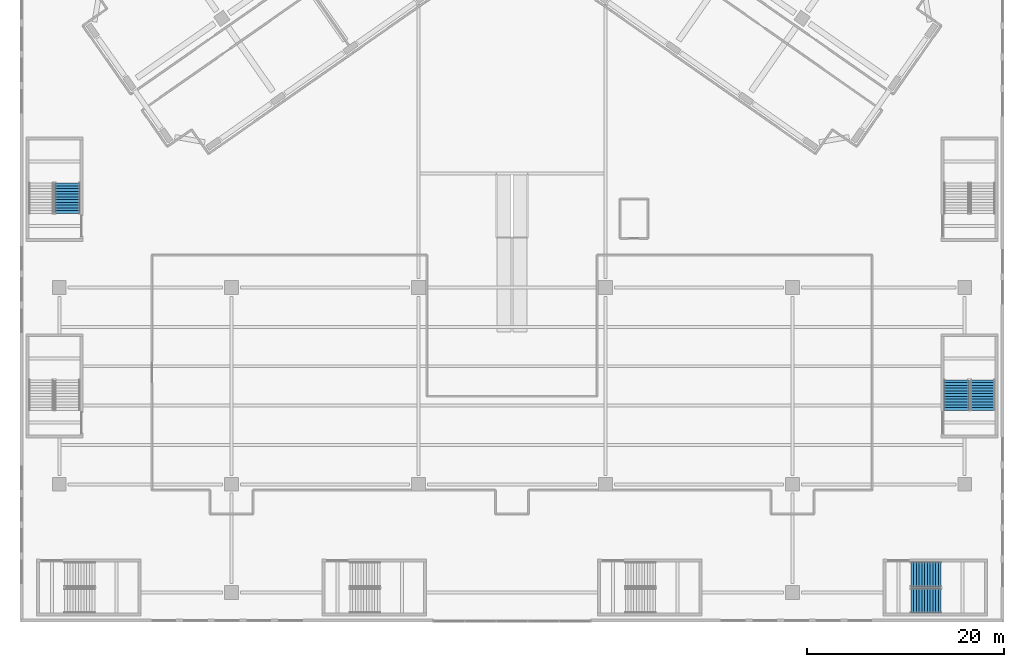
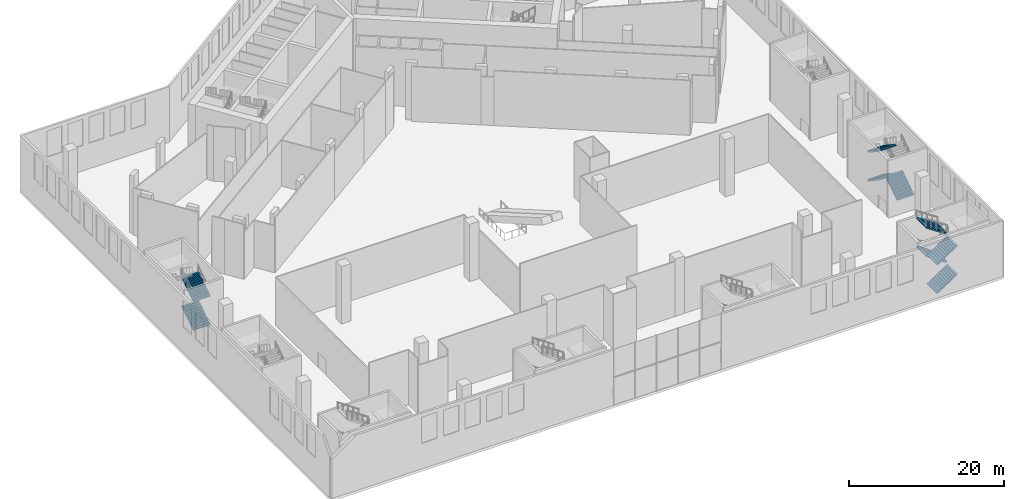
# One storey, part 15 of 27: 9 stair flights, 3 elements without a shape of their own.
"""IFC4 building model written with IfcOpenShell, lengths in metres."""

from ifc_helpers import new_model, si_unit, direction, frame, origin, place, context, subcontext, project, spatial, polyline, outline, extrude, material, type_object, element, aggregate, save


model = new_model("IFC4")

# Units and contexts
model_context = context("Model", 3, precision=1e-05, world=origin(), true_north=direction((0.0, 1.0)))
body_context = subcontext(model_context, "Body", "Model", "MODEL_VIEW")
ifc_project = project(units=[si_unit("LENGTHUNIT", "METRE"), si_unit("AREAUNIT", "SQUARE_METRE"), si_unit("VOLUMEUNIT", "CUBIC_METRE"), si_unit("PLANEANGLEUNIT", "RADIAN"), si_unit("MASSUNIT", "GRAM", prefix="KILO")], contexts=[model_context])

# Site, building, storey
site_placement = place(None, origin())
site = spatial("IfcSite", under=ifc_project, at=site_placement, CompositionType="ELEMENT")
building_placement = place(site_placement, origin())
building = spatial("IfcBuilding", under=site, at=building_placement, Name="Tel Ilan Convention Tower", CompositionType="ELEMENT")
storey_placement = place(building_placement, frame((0.0, 0.0, 9.0)))
storey = spatial("IfcBuildingStorey", under=building, at=storey_placement, Name="L01", CompositionType="ELEMENT", Elevation=9.0)

# Stair, stair flights
ifc_material_1 = material(Name="Concrete C40/50", Category="concrete")
stair_type = type_object("IfcStairType", Name="Pressurised Exit Stair 48 risers 188 mm", PredefinedType="HALF_TURN_STAIR", material=ifc_material_1)
stair_1_placement = place(storey_placement, origin())
stair_1 = element("IfcStair", 1, at=stair_1_placement, inside=storey, type_object=stair_type, Name="L01 Podium Exit Stair P4", PredefinedType="HALF_TURN_STAIR")
ifc_material_2 = material(Name="Precast Concrete C40/50", Category="concrete")
stair_flight_type = type_object("IfcStairFlightType", Name="Concrete Stair Flight 2525 mm 48 risers 188 mm", PredefinedType="STRAIGHT", material=ifc_material_2)
stair_flight_1_placement = place(storey_placement, frame((40.52490234375, -79.83740234375, 0.0), z_axis=(0.0, 0.0, 1.0), x_axis=(1.0, 0.0, 0.0)))
stair_flight_1 = element("IfcStairFlight", 2, at=stair_flight_1_placement, type_object=stair_flight_type, Name="P4 flight 1", NumberOfRisers=12, NumberOfTreads=11, PredefinedType="STRAIGHT", RiserHeight=0.1875, TreadLength=0.28, context=body_context, shape_type="SweptSolid", body=[
    extrude(outline(polyline([(0.0, 0.0), (0.0, 0.1875), (0.280029296875, 0.1875), (0.280029296875, 0.375), (0.56005859375, 0.375), (0.56005859375, 0.5625), (0.840087890625, 0.5625), (0.840087890625, 0.75), (1.1201171875, 0.75), (1.1201171875, 0.9375), (1.39990234375, 0.9375), (1.39990234375, 1.125), (1.679931640625, 1.125), (1.679931640625, 1.3125), (1.9599609375, 1.3125), (1.9599609375, 1.5), (2.239990234375, 1.5), (2.239990234375, 1.6875), (2.52001953125, 1.6875), (2.52001953125, 1.875), (2.800048828125, 1.875), (2.800048828125, 2.0625), (3.080078125, 2.0625), (3.080078125, 2.25), (3.080078125, 1.882080078125), (0.26953125, 0.0), (0.0, 0.0)])), frame((0.0, -0.100341796875, 0.0), z_axis=(0.0, -1.0, 0.0), x_axis=(1.0, 0.0, 0.0)), (0.0, 0.0, 1.0), 1.162109375),
    extrude(outline(polyline([(0.0, 0.0), (0.0, 0.1875), (0.280029296875, 0.1875), (0.280029296875, 0.375), (0.56005859375, 0.375), (0.56005859375, 0.5625), (0.840087890625, 0.5625), (0.840087890625, 0.75), (1.1201171875, 0.75), (1.1201171875, 0.9375), (1.39990234375, 0.9375), (1.39990234375, 1.125), (1.679931640625, 1.125), (1.679931640625, 1.3125), (1.9599609375, 1.3125), (1.9599609375, 1.5), (2.239990234375, 1.5), (2.239990234375, 1.6875), (2.52001953125, 1.6875), (2.52001953125, 1.875), (2.800048828125, 1.875), (2.800048828125, 2.0625), (3.080078125, 2.0625), (3.080078125, 2.25), (3.080078125, 1.882080078125), (0.26953125, 0.0), (0.0, 0.0)])), frame((0.0, -0.000244140625, 0.0), z_axis=(0.0, -1.0, 0.0), x_axis=(1.0, 0.0, 0.0)), (0.0, 0.0, 1.0), 0.099609375),
    extrude(outline(polyline([(0.0, 0.0), (0.0, 0.1875), (0.280029296875, 0.1875), (0.280029296875, 0.375), (0.56005859375, 0.375), (0.56005859375, 0.5625), (0.840087890625, 0.5625), (0.840087890625, 0.75), (1.1201171875, 0.75), (1.1201171875, 0.9375), (1.39990234375, 0.9375), (1.39990234375, 1.125), (1.679931640625, 1.125), (1.679931640625, 1.3125), (1.9599609375, 1.3125), (1.9599609375, 1.5), (2.239990234375, 1.5), (2.239990234375, 1.6875), (2.52001953125, 1.6875), (2.52001953125, 1.875), (2.800048828125, 1.875), (2.800048828125, 2.0625), (3.080078125, 2.0625), (3.080078125, 2.25), (3.080078125, 1.882080078125), (0.26953125, 0.0), (0.0, 0.0)])), frame((0.0, 0.099853515625, 0.0), z_axis=(0.0, -1.0, 0.0), x_axis=(1.0, 0.0, 0.0)), (0.0, 0.0, 1.0), 0.099609375),
    extrude(outline(polyline([(0.0, 0.0), (0.0, 0.1875), (0.280029296875, 0.1875), (0.280029296875, 0.375), (0.56005859375, 0.375), (0.56005859375, 0.5625), (0.840087890625, 0.5625), (0.840087890625, 0.75), (1.1201171875, 0.75), (1.1201171875, 0.9375), (1.39990234375, 0.9375), (1.39990234375, 1.125), (1.679931640625, 1.125), (1.679931640625, 1.3125), (1.9599609375, 1.3125), (1.9599609375, 1.5), (2.239990234375, 1.5), (2.239990234375, 1.6875), (2.52001953125, 1.6875), (2.52001953125, 1.875), (2.800048828125, 1.875), (2.800048828125, 2.0625), (3.080078125, 2.0625), (3.080078125, 2.25), (3.080078125, 1.882080078125), (0.26953125, 0.0), (0.0, 0.0)])), frame((0.0, 1.262451171875, 0.0), z_axis=(0.0, -1.0, 0.0), x_axis=(1.0, 0.0, 0.0)), (0.0, 0.0, 1.0), 1.162109375),
])
stair_flight_2_placement = place(storey_placement, frame((43.60498046875, -77.16259765625, 2.25), z_axis=(0.0, 0.0, 1.0), x_axis=(-1.0, 0.0, 0.0)))
stair_flight_2 = element("IfcStairFlight", 3, at=stair_flight_2_placement, type_object=stair_flight_type, Name="P4 flight 2", NumberOfRisers=12, NumberOfTreads=11, PredefinedType="STRAIGHT", RiserHeight=0.1875, TreadLength=0.28, context=body_context, shape_type="SweptSolid", body=[
    extrude(outline(polyline([(0.0, 0.0), (0.0, 0.1875), (0.280029296875, 0.1875), (0.280029296875, 0.375), (0.56005859375, 0.375), (0.56005859375, 0.5625), (0.840087890625, 0.5625), (0.840087890625, 0.75), (1.1201171875, 0.75), (1.1201171875, 0.9375), (1.39990234375, 0.9375), (1.39990234375, 1.125), (1.679931640625, 1.125), (1.679931640625, 1.3125), (1.9599609375, 1.3125), (1.9599609375, 1.5), (2.239990234375, 1.5), (2.239990234375, 1.6875), (2.52001953125, 1.6875), (2.52001953125, 1.875), (2.800048828125, 1.875), (2.800048828125, 2.0625), (3.080078125, 2.0625), (3.080078125, 2.25), (3.080078125, 1.882080078125), (0.26953125, 0.0), (0.0, 0.0)])), frame((0.0, -0.100341796875, 0.0), z_axis=(0.0, -1.0, 0.0), x_axis=(1.0, 0.0, 0.0)), (0.0, 0.0, 1.0), 1.162109375),
    extrude(outline(polyline([(0.0, 0.0), (0.0, 0.1875), (0.280029296875, 0.1875), (0.280029296875, 0.375), (0.56005859375, 0.375), (0.56005859375, 0.5625), (0.840087890625, 0.5625), (0.840087890625, 0.75), (1.1201171875, 0.75), (1.1201171875, 0.9375), (1.39990234375, 0.9375), (1.39990234375, 1.125), (1.679931640625, 1.125), (1.679931640625, 1.3125), (1.9599609375, 1.3125), (1.9599609375, 1.5), (2.239990234375, 1.5), (2.239990234375, 1.6875), (2.52001953125, 1.6875), (2.52001953125, 1.875), (2.800048828125, 1.875), (2.800048828125, 2.0625), (3.080078125, 2.0625), (3.080078125, 2.25), (3.080078125, 1.882080078125), (0.26953125, 0.0), (0.0, 0.0)])), frame((0.0, -0.000244140625, 0.0), z_axis=(0.0, -1.0, 0.0), x_axis=(1.0, 0.0, 0.0)), (0.0, 0.0, 1.0), 0.099609375),
    extrude(outline(polyline([(0.0, 0.0), (0.0, 0.1875), (0.280029296875, 0.1875), (0.280029296875, 0.375), (0.56005859375, 0.375), (0.56005859375, 0.5625), (0.840087890625, 0.5625), (0.840087890625, 0.75), (1.1201171875, 0.75), (1.1201171875, 0.9375), (1.39990234375, 0.9375), (1.39990234375, 1.125), (1.679931640625, 1.125), (1.679931640625, 1.3125), (1.9599609375, 1.3125), (1.9599609375, 1.5), (2.239990234375, 1.5), (2.239990234375, 1.6875), (2.52001953125, 1.6875), (2.52001953125, 1.875), (2.800048828125, 1.875), (2.800048828125, 2.0625), (3.080078125, 2.0625), (3.080078125, 2.25), (3.080078125, 1.882080078125), (0.26953125, 0.0), (0.0, 0.0)])), frame((0.0, 0.099853515625, 0.0), z_axis=(0.0, -1.0, 0.0), x_axis=(1.0, 0.0, 0.0)), (0.0, 0.0, 1.0), 0.099609375),
    extrude(outline(polyline([(0.0, 0.0), (0.0, 0.1875), (0.280029296875, 0.1875), (0.280029296875, 0.375), (0.56005859375, 0.375), (0.56005859375, 0.5625), (0.840087890625, 0.5625), (0.840087890625, 0.75), (1.1201171875, 0.75), (1.1201171875, 0.9375), (1.39990234375, 0.9375), (1.39990234375, 1.125), (1.679931640625, 1.125), (1.679931640625, 1.3125), (1.9599609375, 1.3125), (1.9599609375, 1.5), (2.239990234375, 1.5), (2.239990234375, 1.6875), (2.52001953125, 1.6875), (2.52001953125, 1.875), (2.800048828125, 1.875), (2.800048828125, 2.0625), (3.080078125, 2.0625), (3.080078125, 2.25), (3.080078125, 1.882080078125), (0.26953125, 0.0), (0.0, 0.0)])), frame((0.0, 1.262451171875, 0.0), z_axis=(0.0, -1.0, 0.0), x_axis=(1.0, 0.0, 0.0)), (0.0, 0.0, 1.0), 1.162109375),
])
stair_flight_3_placement = place(storey_placement, frame((40.52490234375, -79.83740234375, 4.5), z_axis=(0.0, 0.0, 1.0), x_axis=(1.0, 0.0, 0.0)))
stair_flight_3 = element("IfcStairFlight", 4, at=stair_flight_3_placement, type_object=stair_flight_type, Name="P4 flight 3", NumberOfRisers=12, NumberOfTreads=11, PredefinedType="STRAIGHT", RiserHeight=0.1875, TreadLength=0.28, context=body_context, shape_type="SweptSolid", body=[
    extrude(outline(polyline([(0.0, 0.0), (0.0, 0.1875), (0.280029296875, 0.1875), (0.280029296875, 0.375), (0.56005859375, 0.375), (0.56005859375, 0.5625), (0.840087890625, 0.5625), (0.840087890625, 0.75), (1.1201171875, 0.75), (1.1201171875, 0.9375), (1.39990234375, 0.9375), (1.39990234375, 1.125), (1.679931640625, 1.125), (1.679931640625, 1.3125), (1.9599609375, 1.3125), (1.9599609375, 1.5), (2.239990234375, 1.5), (2.239990234375, 1.6875), (2.52001953125, 1.6875), (2.52001953125, 1.875), (2.800048828125, 1.875), (2.800048828125, 2.0625), (3.080078125, 2.0625), (3.080078125, 2.25), (3.080078125, 1.882080078125), (0.26953125, 0.0), (0.0, 0.0)])), frame((0.0, -0.100341796875, 0.0), z_axis=(0.0, -1.0, 0.0), x_axis=(1.0, 0.0, 0.0)), (0.0, 0.0, 1.0), 1.162109375),
    extrude(outline(polyline([(0.0, 0.0), (0.0, 0.1875), (0.280029296875, 0.1875), (0.280029296875, 0.375), (0.56005859375, 0.375), (0.56005859375, 0.5625), (0.840087890625, 0.5625), (0.840087890625, 0.75), (1.1201171875, 0.75), (1.1201171875, 0.9375), (1.39990234375, 0.9375), (1.39990234375, 1.125), (1.679931640625, 1.125), (1.679931640625, 1.3125), (1.9599609375, 1.3125), (1.9599609375, 1.5), (2.239990234375, 1.5), (2.239990234375, 1.6875), (2.52001953125, 1.6875), (2.52001953125, 1.875), (2.800048828125, 1.875), (2.800048828125, 2.0625), (3.080078125, 2.0625), (3.080078125, 2.25), (3.080078125, 1.882080078125), (0.26953125, 0.0), (0.0, 0.0)])), frame((0.0, -0.000244140625, 0.0), z_axis=(0.0, -1.0, 0.0), x_axis=(1.0, 0.0, 0.0)), (0.0, 0.0, 1.0), 0.099609375),
    extrude(outline(polyline([(0.0, 0.0), (0.0, 0.1875), (0.280029296875, 0.1875), (0.280029296875, 0.375), (0.56005859375, 0.375), (0.56005859375, 0.5625), (0.840087890625, 0.5625), (0.840087890625, 0.75), (1.1201171875, 0.75), (1.1201171875, 0.9375), (1.39990234375, 0.9375), (1.39990234375, 1.125), (1.679931640625, 1.125), (1.679931640625, 1.3125), (1.9599609375, 1.3125), (1.9599609375, 1.5), (2.239990234375, 1.5), (2.239990234375, 1.6875), (2.52001953125, 1.6875), (2.52001953125, 1.875), (2.800048828125, 1.875), (2.800048828125, 2.0625), (3.080078125, 2.0625), (3.080078125, 2.25), (3.080078125, 1.882080078125), (0.26953125, 0.0), (0.0, 0.0)])), frame((0.0, 0.099853515625, 0.0), z_axis=(0.0, -1.0, 0.0), x_axis=(1.0, 0.0, 0.0)), (0.0, 0.0, 1.0), 0.099609375),
    extrude(outline(polyline([(0.0, 0.0), (0.0, 0.1875), (0.280029296875, 0.1875), (0.280029296875, 0.375), (0.56005859375, 0.375), (0.56005859375, 0.5625), (0.840087890625, 0.5625), (0.840087890625, 0.75), (1.1201171875, 0.75), (1.1201171875, 0.9375), (1.39990234375, 0.9375), (1.39990234375, 1.125), (1.679931640625, 1.125), (1.679931640625, 1.3125), (1.9599609375, 1.3125), (1.9599609375, 1.5), (2.239990234375, 1.5), (2.239990234375, 1.6875), (2.52001953125, 1.6875), (2.52001953125, 1.875), (2.800048828125, 1.875), (2.800048828125, 2.0625), (3.080078125, 2.0625), (3.080078125, 2.25), (3.080078125, 1.882080078125), (0.26953125, 0.0), (0.0, 0.0)])), frame((0.0, 1.262451171875, 0.0), z_axis=(0.0, -1.0, 0.0), x_axis=(1.0, 0.0, 0.0)), (0.0, 0.0, 1.0), 1.162109375),
])
stair_flight_4_placement = place(storey_placement, frame((43.60498046875, -77.16259765625, 6.75), z_axis=(0.0, 0.0, 1.0), x_axis=(-1.0, 0.0, 0.0)))
stair_flight_4 = element("IfcStairFlight", 5, at=stair_flight_4_placement, type_object=stair_flight_type, Name="P4 flight 4", NumberOfRisers=12, NumberOfTreads=11, PredefinedType="STRAIGHT", RiserHeight=0.1875, TreadLength=0.28, context=body_context, shape_type="SweptSolid", body=[
    extrude(outline(polyline([(0.0, 0.0), (0.0, 0.1875), (0.280029296875, 0.1875), (0.280029296875, 0.375), (0.56005859375, 0.375), (0.56005859375, 0.5625), (0.840087890625, 0.5625), (0.840087890625, 0.75), (1.1201171875, 0.75), (1.1201171875, 0.9375), (1.39990234375, 0.9375), (1.39990234375, 1.125), (1.679931640625, 1.125), (1.679931640625, 1.3125), (1.9599609375, 1.3125), (1.9599609375, 1.5), (2.239990234375, 1.5), (2.239990234375, 1.6875), (2.52001953125, 1.6875), (2.52001953125, 1.875), (2.800048828125, 1.875), (2.800048828125, 2.0625), (3.080078125, 2.0625), (3.080078125, 2.25), (3.080078125, 1.882080078125), (0.26953125, 0.0), (0.0, 0.0)])), frame((0.0, -0.100341796875, 0.0), z_axis=(0.0, -1.0, 0.0), x_axis=(1.0, 0.0, 0.0)), (0.0, 0.0, 1.0), 1.162109375),
    extrude(outline(polyline([(0.0, 0.0), (0.0, 0.1875), (0.280029296875, 0.1875), (0.280029296875, 0.375), (0.56005859375, 0.375), (0.56005859375, 0.5625), (0.840087890625, 0.5625), (0.840087890625, 0.75), (1.1201171875, 0.75), (1.1201171875, 0.9375), (1.39990234375, 0.9375), (1.39990234375, 1.125), (1.679931640625, 1.125), (1.679931640625, 1.3125), (1.9599609375, 1.3125), (1.9599609375, 1.5), (2.239990234375, 1.5), (2.239990234375, 1.6875), (2.52001953125, 1.6875), (2.52001953125, 1.875), (2.800048828125, 1.875), (2.800048828125, 2.0625), (3.080078125, 2.0625), (3.080078125, 2.25), (3.080078125, 1.882080078125), (0.26953125, 0.0), (0.0, 0.0)])), frame((0.0, -0.000244140625, 0.0), z_axis=(0.0, -1.0, 0.0), x_axis=(1.0, 0.0, 0.0)), (0.0, 0.0, 1.0), 0.099609375),
    extrude(outline(polyline([(0.0, 0.0), (0.0, 0.1875), (0.280029296875, 0.1875), (0.280029296875, 0.375), (0.56005859375, 0.375), (0.56005859375, 0.5625), (0.840087890625, 0.5625), (0.840087890625, 0.75), (1.1201171875, 0.75), (1.1201171875, 0.9375), (1.39990234375, 0.9375), (1.39990234375, 1.125), (1.679931640625, 1.125), (1.679931640625, 1.3125), (1.9599609375, 1.3125), (1.9599609375, 1.5), (2.239990234375, 1.5), (2.239990234375, 1.6875), (2.52001953125, 1.6875), (2.52001953125, 1.875), (2.800048828125, 1.875), (2.800048828125, 2.0625), (3.080078125, 2.0625), (3.080078125, 2.25), (3.080078125, 1.882080078125), (0.26953125, 0.0), (0.0, 0.0)])), frame((0.0, 0.099853515625, 0.0), z_axis=(0.0, -1.0, 0.0), x_axis=(1.0, 0.0, 0.0)), (0.0, 0.0, 1.0), 0.099609375),
    extrude(outline(polyline([(0.0, 0.0), (0.0, 0.1875), (0.280029296875, 0.1875), (0.280029296875, 0.375), (0.56005859375, 0.375), (0.56005859375, 0.5625), (0.840087890625, 0.5625), (0.840087890625, 0.75), (1.1201171875, 0.75), (1.1201171875, 0.9375), (1.39990234375, 0.9375), (1.39990234375, 1.125), (1.679931640625, 1.125), (1.679931640625, 1.3125), (1.9599609375, 1.3125), (1.9599609375, 1.5), (2.239990234375, 1.5), (2.239990234375, 1.6875), (2.52001953125, 1.6875), (2.52001953125, 1.875), (2.800048828125, 1.875), (2.800048828125, 2.0625), (3.080078125, 2.0625), (3.080078125, 2.25), (3.080078125, 1.882080078125), (0.26953125, 0.0), (0.0, 0.0)])), frame((0.0, 1.262451171875, 0.0), z_axis=(0.0, -1.0, 0.0), x_axis=(1.0, 0.0, 0.0)), (0.0, 0.0, 1.0), 1.162109375),
])
aggregate(stair_1, [stair_flight_1, stair_flight_2, stair_flight_3, stair_flight_4])

stair_2_placement = place(storey_placement, origin())
stair_2 = element("IfcStair", 6, at=stair_2_placement, inside=storey, type_object=stair_type, Name="L01 Podium Exit Stair P6", PredefinedType="HALF_TURN_STAIR")
stair_flight_5_placement = place(storey_placement, frame((47.83740234375, -60.47509765625, 0.0), z_axis=(0.0, 0.0, 1.0), x_axis=(0.0, 1.0, 0.0)))
stair_flight_5 = element("IfcStairFlight", 7, at=stair_flight_5_placement, type_object=stair_flight_type, Name="P6 flight 1", NumberOfRisers=12, NumberOfTreads=11, PredefinedType="STRAIGHT", RiserHeight=0.1875, TreadLength=0.28, context=body_context, shape_type="SweptSolid", body=[
    extrude(outline(polyline([(0.0, 0.0), (0.0, 0.1875), (0.280029296875, 0.1875), (0.280029296875, 0.375), (0.56005859375, 0.375), (0.56005859375, 0.5625), (0.840087890625, 0.5625), (0.840087890625, 0.75), (1.1201171875, 0.75), (1.1201171875, 0.9375), (1.39990234375, 0.9375), (1.39990234375, 1.125), (1.679931640625, 1.125), (1.679931640625, 1.3125), (1.9599609375, 1.3125), (1.9599609375, 1.5), (2.239990234375, 1.5), (2.239990234375, 1.6875), (2.52001953125, 1.6875), (2.52001953125, 1.875), (2.800048828125, 1.875), (2.800048828125, 2.0625), (3.080078125, 2.0625), (3.080078125, 2.25), (3.080078125, 1.882080078125), (0.26953125, 0.0), (0.0, 0.0)])), frame((0.0, -0.100341796875, 0.0), z_axis=(0.0, -1.0, 0.0), x_axis=(1.0, 0.0, 0.0)), (0.0, 0.0, 1.0), 1.162109375),
    extrude(outline(polyline([(0.0, 0.0), (0.0, 0.1875), (0.280029296875, 0.1875), (0.280029296875, 0.375), (0.56005859375, 0.375), (0.56005859375, 0.5625), (0.840087890625, 0.5625), (0.840087890625, 0.75), (1.1201171875, 0.75), (1.1201171875, 0.9375), (1.39990234375, 0.9375), (1.39990234375, 1.125), (1.679931640625, 1.125), (1.679931640625, 1.3125), (1.9599609375, 1.3125), (1.9599609375, 1.5), (2.239990234375, 1.5), (2.239990234375, 1.6875), (2.52001953125, 1.6875), (2.52001953125, 1.875), (2.800048828125, 1.875), (2.800048828125, 2.0625), (3.080078125, 2.0625), (3.080078125, 2.25), (3.080078125, 1.882080078125), (0.26953125, 0.0), (0.0, 0.0)])), frame((0.0, -0.000244140625, 0.0), z_axis=(0.0, -1.0, 0.0), x_axis=(1.0, 0.0, 0.0)), (0.0, 0.0, 1.0), 0.099609375),
    extrude(outline(polyline([(0.0, 0.0), (0.0, 0.1875), (0.280029296875, 0.1875), (0.280029296875, 0.375), (0.56005859375, 0.375), (0.56005859375, 0.5625), (0.840087890625, 0.5625), (0.840087890625, 0.75), (1.1201171875, 0.75), (1.1201171875, 0.9375), (1.39990234375, 0.9375), (1.39990234375, 1.125), (1.679931640625, 1.125), (1.679931640625, 1.3125), (1.9599609375, 1.3125), (1.9599609375, 1.5), (2.239990234375, 1.5), (2.239990234375, 1.6875), (2.52001953125, 1.6875), (2.52001953125, 1.875), (2.800048828125, 1.875), (2.800048828125, 2.0625), (3.080078125, 2.0625), (3.080078125, 2.25), (3.080078125, 1.882080078125), (0.26953125, 0.0), (0.0, 0.0)])), frame((0.0, 0.099853515625, 0.0), z_axis=(0.0, -1.0, 0.0), x_axis=(1.0, 0.0, 0.0)), (0.0, 0.0, 1.0), 0.099609375),
    extrude(outline(polyline([(0.0, 0.0), (0.0, 0.1875), (0.280029296875, 0.1875), (0.280029296875, 0.375), (0.56005859375, 0.375), (0.56005859375, 0.5625), (0.840087890625, 0.5625), (0.840087890625, 0.75), (1.1201171875, 0.75), (1.1201171875, 0.9375), (1.39990234375, 0.9375), (1.39990234375, 1.125), (1.679931640625, 1.125), (1.679931640625, 1.3125), (1.9599609375, 1.3125), (1.9599609375, 1.5), (2.239990234375, 1.5), (2.239990234375, 1.6875), (2.52001953125, 1.6875), (2.52001953125, 1.875), (2.800048828125, 1.875), (2.800048828125, 2.0625), (3.080078125, 2.0625), (3.080078125, 2.25), (3.080078125, 1.882080078125), (0.26953125, 0.0), (0.0, 0.0)])), frame((0.0, 1.262451171875, 0.0), z_axis=(0.0, -1.0, 0.0), x_axis=(1.0, 0.0, 0.0)), (0.0, 0.0, 1.0), 1.162109375),
])
stair_flight_6_placement = place(storey_placement, frame((45.16259765625, -57.39501953125, 2.25), z_axis=(0.0, 0.0, 1.0), x_axis=(0.0, -1.0, 0.0)))
stair_flight_6 = element("IfcStairFlight", 8, at=stair_flight_6_placement, type_object=stair_flight_type, Name="P6 flight 2", NumberOfRisers=12, NumberOfTreads=11, PredefinedType="STRAIGHT", RiserHeight=0.1875, TreadLength=0.28, context=body_context, shape_type="SweptSolid", body=[
    extrude(outline(polyline([(0.0, 0.0), (0.0, 0.1875), (0.280029296875, 0.1875), (0.280029296875, 0.375), (0.56005859375, 0.375), (0.56005859375, 0.5625), (0.840087890625, 0.5625), (0.840087890625, 0.75), (1.1201171875, 0.75), (1.1201171875, 0.9375), (1.39990234375, 0.9375), (1.39990234375, 1.125), (1.679931640625, 1.125), (1.679931640625, 1.3125), (1.9599609375, 1.3125), (1.9599609375, 1.5), (2.239990234375, 1.5), (2.239990234375, 1.6875), (2.52001953125, 1.6875), (2.52001953125, 1.875), (2.800048828125, 1.875), (2.800048828125, 2.0625), (3.080078125, 2.0625), (3.080078125, 2.25), (3.080078125, 1.882080078125), (0.26953125, 0.0), (0.0, 0.0)])), frame((0.0, -0.100341796875, 0.0), z_axis=(0.0, -1.0, 0.0), x_axis=(1.0, 0.0, 0.0)), (0.0, 0.0, 1.0), 1.162109375),
    extrude(outline(polyline([(0.0, 0.0), (0.0, 0.1875), (0.280029296875, 0.1875), (0.280029296875, 0.375), (0.56005859375, 0.375), (0.56005859375, 0.5625), (0.840087890625, 0.5625), (0.840087890625, 0.75), (1.1201171875, 0.75), (1.1201171875, 0.9375), (1.39990234375, 0.9375), (1.39990234375, 1.125), (1.679931640625, 1.125), (1.679931640625, 1.3125), (1.9599609375, 1.3125), (1.9599609375, 1.5), (2.239990234375, 1.5), (2.239990234375, 1.6875), (2.52001953125, 1.6875), (2.52001953125, 1.875), (2.800048828125, 1.875), (2.800048828125, 2.0625), (3.080078125, 2.0625), (3.080078125, 2.25), (3.080078125, 1.882080078125), (0.26953125, 0.0), (0.0, 0.0)])), frame((0.0, -0.000244140625, 0.0), z_axis=(0.0, -1.0, 0.0), x_axis=(1.0, 0.0, 0.0)), (0.0, 0.0, 1.0), 0.099609375),
    extrude(outline(polyline([(0.0, 0.0), (0.0, 0.1875), (0.280029296875, 0.1875), (0.280029296875, 0.375), (0.56005859375, 0.375), (0.56005859375, 0.5625), (0.840087890625, 0.5625), (0.840087890625, 0.75), (1.1201171875, 0.75), (1.1201171875, 0.9375), (1.39990234375, 0.9375), (1.39990234375, 1.125), (1.679931640625, 1.125), (1.679931640625, 1.3125), (1.9599609375, 1.3125), (1.9599609375, 1.5), (2.239990234375, 1.5), (2.239990234375, 1.6875), (2.52001953125, 1.6875), (2.52001953125, 1.875), (2.800048828125, 1.875), (2.800048828125, 2.0625), (3.080078125, 2.0625), (3.080078125, 2.25), (3.080078125, 1.882080078125), (0.26953125, 0.0), (0.0, 0.0)])), frame((0.0, 0.099853515625, 0.0), z_axis=(0.0, -1.0, 0.0), x_axis=(1.0, 0.0, 0.0)), (0.0, 0.0, 1.0), 0.099609375),
    extrude(outline(polyline([(0.0, 0.0), (0.0, 0.1875), (0.280029296875, 0.1875), (0.280029296875, 0.375), (0.56005859375, 0.375), (0.56005859375, 0.5625), (0.840087890625, 0.5625), (0.840087890625, 0.75), (1.1201171875, 0.75), (1.1201171875, 0.9375), (1.39990234375, 0.9375), (1.39990234375, 1.125), (1.679931640625, 1.125), (1.679931640625, 1.3125), (1.9599609375, 1.3125), (1.9599609375, 1.5), (2.239990234375, 1.5), (2.239990234375, 1.6875), (2.52001953125, 1.6875), (2.52001953125, 1.875), (2.800048828125, 1.875), (2.800048828125, 2.0625), (3.080078125, 2.0625), (3.080078125, 2.25), (3.080078125, 1.882080078125), (0.26953125, 0.0), (0.0, 0.0)])), frame((0.0, 1.262451171875, 0.0), z_axis=(0.0, -1.0, 0.0), x_axis=(1.0, 0.0, 0.0)), (0.0, 0.0, 1.0), 1.162109375),
])
stair_flight_7_placement = place(storey_placement, frame((45.16259765625, -57.39501953125, 6.75), z_axis=(0.0, 0.0, 1.0), x_axis=(0.0, -1.0, 0.0)))
stair_flight_7 = element("IfcStairFlight", 9, at=stair_flight_7_placement, type_object=stair_flight_type, Name="P6 flight 4", NumberOfRisers=12, NumberOfTreads=11, PredefinedType="STRAIGHT", RiserHeight=0.1875, TreadLength=0.28, context=body_context, shape_type="SweptSolid", body=[
    extrude(outline(polyline([(0.0, 0.0), (0.0, 0.1875), (0.280029296875, 0.1875), (0.280029296875, 0.375), (0.56005859375, 0.375), (0.56005859375, 0.5625), (0.840087890625, 0.5625), (0.840087890625, 0.75), (1.1201171875, 0.75), (1.1201171875, 0.9375), (1.39990234375, 0.9375), (1.39990234375, 1.125), (1.679931640625, 1.125), (1.679931640625, 1.3125), (1.9599609375, 1.3125), (1.9599609375, 1.5), (2.239990234375, 1.5), (2.239990234375, 1.6875), (2.52001953125, 1.6875), (2.52001953125, 1.875), (2.800048828125, 1.875), (2.800048828125, 2.0625), (3.080078125, 2.0625), (3.080078125, 2.25), (3.080078125, 1.882080078125), (0.26953125, 0.0), (0.0, 0.0)])), frame((0.0, -0.100341796875, 0.0), z_axis=(0.0, -1.0, 0.0), x_axis=(1.0, 0.0, 0.0)), (0.0, 0.0, 1.0), 1.162109375),
    extrude(outline(polyline([(0.0, 0.0), (0.0, 0.1875), (0.280029296875, 0.1875), (0.280029296875, 0.375), (0.56005859375, 0.375), (0.56005859375, 0.5625), (0.840087890625, 0.5625), (0.840087890625, 0.75), (1.1201171875, 0.75), (1.1201171875, 0.9375), (1.39990234375, 0.9375), (1.39990234375, 1.125), (1.679931640625, 1.125), (1.679931640625, 1.3125), (1.9599609375, 1.3125), (1.9599609375, 1.5), (2.239990234375, 1.5), (2.239990234375, 1.6875), (2.52001953125, 1.6875), (2.52001953125, 1.875), (2.800048828125, 1.875), (2.800048828125, 2.0625), (3.080078125, 2.0625), (3.080078125, 2.25), (3.080078125, 1.882080078125), (0.26953125, 0.0), (0.0, 0.0)])), frame((0.0, -0.000244140625, 0.0), z_axis=(0.0, -1.0, 0.0), x_axis=(1.0, 0.0, 0.0)), (0.0, 0.0, 1.0), 0.099609375),
    extrude(outline(polyline([(0.0, 0.0), (0.0, 0.1875), (0.280029296875, 0.1875), (0.280029296875, 0.375), (0.56005859375, 0.375), (0.56005859375, 0.5625), (0.840087890625, 0.5625), (0.840087890625, 0.75), (1.1201171875, 0.75), (1.1201171875, 0.9375), (1.39990234375, 0.9375), (1.39990234375, 1.125), (1.679931640625, 1.125), (1.679931640625, 1.3125), (1.9599609375, 1.3125), (1.9599609375, 1.5), (2.239990234375, 1.5), (2.239990234375, 1.6875), (2.52001953125, 1.6875), (2.52001953125, 1.875), (2.800048828125, 1.875), (2.800048828125, 2.0625), (3.080078125, 2.0625), (3.080078125, 2.25), (3.080078125, 1.882080078125), (0.26953125, 0.0), (0.0, 0.0)])), frame((0.0, 0.099853515625, 0.0), z_axis=(0.0, -1.0, 0.0), x_axis=(1.0, 0.0, 0.0)), (0.0, 0.0, 1.0), 0.099609375),
    extrude(outline(polyline([(0.0, 0.0), (0.0, 0.1875), (0.280029296875, 0.1875), (0.280029296875, 0.375), (0.56005859375, 0.375), (0.56005859375, 0.5625), (0.840087890625, 0.5625), (0.840087890625, 0.75), (1.1201171875, 0.75), (1.1201171875, 0.9375), (1.39990234375, 0.9375), (1.39990234375, 1.125), (1.679931640625, 1.125), (1.679931640625, 1.3125), (1.9599609375, 1.3125), (1.9599609375, 1.5), (2.239990234375, 1.5), (2.239990234375, 1.6875), (2.52001953125, 1.6875), (2.52001953125, 1.875), (2.800048828125, 1.875), (2.800048828125, 2.0625), (3.080078125, 2.0625), (3.080078125, 2.25), (3.080078125, 1.882080078125), (0.26953125, 0.0), (0.0, 0.0)])), frame((0.0, 1.262451171875, 0.0), z_axis=(0.0, -1.0, 0.0), x_axis=(1.0, 0.0, 0.0)), (0.0, 0.0, 1.0), 1.162109375),
])
aggregate(stair_2, [stair_flight_5, stair_flight_6, stair_flight_7])

stair_3_placement = place(storey_placement, origin())
stair_3 = element("IfcStair", 10, at=stair_3_placement, inside=storey, type_object=stair_type, Name="L01 Podium Exit Stair P7", PredefinedType="HALF_TURN_STAIR")
stair_flight_8_placement = place(storey_placement, frame((-45.16259765625, -40.47509765625, 0.0), z_axis=(0.0, 0.0, 1.0), x_axis=(0.0, 1.0, 0.0)))
stair_flight_8 = element("IfcStairFlight", 11, at=stair_flight_8_placement, type_object=stair_flight_type, Name="P7 flight 1", NumberOfRisers=12, NumberOfTreads=11, PredefinedType="STRAIGHT", RiserHeight=0.1875, TreadLength=0.28, context=body_context, shape_type="SweptSolid", body=[
    extrude(outline(polyline([(0.0, 0.0), (0.0, 0.1875), (0.280029296875, 0.1875), (0.280029296875, 0.375), (0.56005859375, 0.375), (0.56005859375, 0.5625), (0.840087890625, 0.5625), (0.840087890625, 0.75), (1.1201171875, 0.75), (1.1201171875, 0.9375), (1.39990234375, 0.9375), (1.39990234375, 1.125), (1.679931640625, 1.125), (1.679931640625, 1.3125), (1.9599609375, 1.3125), (1.9599609375, 1.5), (2.239990234375, 1.5), (2.239990234375, 1.6875), (2.52001953125, 1.6875), (2.52001953125, 1.875), (2.800048828125, 1.875), (2.800048828125, 2.0625), (3.080078125, 2.0625), (3.080078125, 2.25), (3.080078125, 1.882080078125), (0.26953125, 0.0), (0.0, 0.0)])), frame((0.0, -0.100341796875, 0.0), z_axis=(0.0, -1.0, 0.0), x_axis=(1.0, 0.0, 0.0)), (0.0, 0.0, 1.0), 1.162109375),
    extrude(outline(polyline([(0.0, 0.0), (0.0, 0.1875), (0.280029296875, 0.1875), (0.280029296875, 0.375), (0.56005859375, 0.375), (0.56005859375, 0.5625), (0.840087890625, 0.5625), (0.840087890625, 0.75), (1.1201171875, 0.75), (1.1201171875, 0.9375), (1.39990234375, 0.9375), (1.39990234375, 1.125), (1.679931640625, 1.125), (1.679931640625, 1.3125), (1.9599609375, 1.3125), (1.9599609375, 1.5), (2.239990234375, 1.5), (2.239990234375, 1.6875), (2.52001953125, 1.6875), (2.52001953125, 1.875), (2.800048828125, 1.875), (2.800048828125, 2.0625), (3.080078125, 2.0625), (3.080078125, 2.25), (3.080078125, 1.882080078125), (0.26953125, 0.0), (0.0, 0.0)])), frame((0.0, -0.000244140625, 0.0), z_axis=(0.0, -1.0, 0.0), x_axis=(1.0, 0.0, 0.0)), (0.0, 0.0, 1.0), 0.099609375),
    extrude(outline(polyline([(0.0, 0.0), (0.0, 0.1875), (0.280029296875, 0.1875), (0.280029296875, 0.375), (0.56005859375, 0.375), (0.56005859375, 0.5625), (0.840087890625, 0.5625), (0.840087890625, 0.75), (1.1201171875, 0.75), (1.1201171875, 0.9375), (1.39990234375, 0.9375), (1.39990234375, 1.125), (1.679931640625, 1.125), (1.679931640625, 1.3125), (1.9599609375, 1.3125), (1.9599609375, 1.5), (2.239990234375, 1.5), (2.239990234375, 1.6875), (2.52001953125, 1.6875), (2.52001953125, 1.875), (2.800048828125, 1.875), (2.800048828125, 2.0625), (3.080078125, 2.0625), (3.080078125, 2.25), (3.080078125, 1.882080078125), (0.26953125, 0.0), (0.0, 0.0)])), frame((0.0, 0.099853515625, 0.0), z_axis=(0.0, -1.0, 0.0), x_axis=(1.0, 0.0, 0.0)), (0.0, 0.0, 1.0), 0.099609375),
    extrude(outline(polyline([(0.0, 0.0), (0.0, 0.1875), (0.280029296875, 0.1875), (0.280029296875, 0.375), (0.56005859375, 0.375), (0.56005859375, 0.5625), (0.840087890625, 0.5625), (0.840087890625, 0.75), (1.1201171875, 0.75), (1.1201171875, 0.9375), (1.39990234375, 0.9375), (1.39990234375, 1.125), (1.679931640625, 1.125), (1.679931640625, 1.3125), (1.9599609375, 1.3125), (1.9599609375, 1.5), (2.239990234375, 1.5), (2.239990234375, 1.6875), (2.52001953125, 1.6875), (2.52001953125, 1.875), (2.800048828125, 1.875), (2.800048828125, 2.0625), (3.080078125, 2.0625), (3.080078125, 2.25), (3.080078125, 1.882080078125), (0.26953125, 0.0), (0.0, 0.0)])), frame((0.0, 1.262451171875, 0.0), z_axis=(0.0, -1.0, 0.0), x_axis=(1.0, 0.0, 0.0)), (0.0, 0.0, 1.0), 1.162109375),
])
stair_flight_9_placement = place(storey_placement, frame((-45.16259765625, -40.47509765625, 4.5), z_axis=(0.0, 0.0, 1.0), x_axis=(0.0, 1.0, 0.0)))
stair_flight_9 = element("IfcStairFlight", 12, at=stair_flight_9_placement, type_object=stair_flight_type, Name="P7 flight 3", NumberOfRisers=12, NumberOfTreads=11, PredefinedType="STRAIGHT", RiserHeight=0.1875, TreadLength=0.28, context=body_context, shape_type="SweptSolid", body=[
    extrude(outline(polyline([(0.0, 0.0), (0.0, 0.1875), (0.280029296875, 0.1875), (0.280029296875, 0.375), (0.56005859375, 0.375), (0.56005859375, 0.5625), (0.840087890625, 0.5625), (0.840087890625, 0.75), (1.1201171875, 0.75), (1.1201171875, 0.9375), (1.39990234375, 0.9375), (1.39990234375, 1.125), (1.679931640625, 1.125), (1.679931640625, 1.3125), (1.9599609375, 1.3125), (1.9599609375, 1.5), (2.239990234375, 1.5), (2.239990234375, 1.6875), (2.52001953125, 1.6875), (2.52001953125, 1.875), (2.800048828125, 1.875), (2.800048828125, 2.0625), (3.080078125, 2.0625), (3.080078125, 2.25), (3.080078125, 1.882080078125), (0.26953125, 0.0), (0.0, 0.0)])), frame((0.0, -0.100341796875, 0.0), z_axis=(0.0, -1.0, 0.0), x_axis=(1.0, 0.0, 0.0)), (0.0, 0.0, 1.0), 1.162109375),
    extrude(outline(polyline([(0.0, 0.0), (0.0, 0.1875), (0.280029296875, 0.1875), (0.280029296875, 0.375), (0.56005859375, 0.375), (0.56005859375, 0.5625), (0.840087890625, 0.5625), (0.840087890625, 0.75), (1.1201171875, 0.75), (1.1201171875, 0.9375), (1.39990234375, 0.9375), (1.39990234375, 1.125), (1.679931640625, 1.125), (1.679931640625, 1.3125), (1.9599609375, 1.3125), (1.9599609375, 1.5), (2.239990234375, 1.5), (2.239990234375, 1.6875), (2.52001953125, 1.6875), (2.52001953125, 1.875), (2.800048828125, 1.875), (2.800048828125, 2.0625), (3.080078125, 2.0625), (3.080078125, 2.25), (3.080078125, 1.882080078125), (0.26953125, 0.0), (0.0, 0.0)])), frame((0.0, -0.000244140625, 0.0), z_axis=(0.0, -1.0, 0.0), x_axis=(1.0, 0.0, 0.0)), (0.0, 0.0, 1.0), 0.099609375),
    extrude(outline(polyline([(0.0, 0.0), (0.0, 0.1875), (0.280029296875, 0.1875), (0.280029296875, 0.375), (0.56005859375, 0.375), (0.56005859375, 0.5625), (0.840087890625, 0.5625), (0.840087890625, 0.75), (1.1201171875, 0.75), (1.1201171875, 0.9375), (1.39990234375, 0.9375), (1.39990234375, 1.125), (1.679931640625, 1.125), (1.679931640625, 1.3125), (1.9599609375, 1.3125), (1.9599609375, 1.5), (2.239990234375, 1.5), (2.239990234375, 1.6875), (2.52001953125, 1.6875), (2.52001953125, 1.875), (2.800048828125, 1.875), (2.800048828125, 2.0625), (3.080078125, 2.0625), (3.080078125, 2.25), (3.080078125, 1.882080078125), (0.26953125, 0.0), (0.0, 0.0)])), frame((0.0, 0.099853515625, 0.0), z_axis=(0.0, -1.0, 0.0), x_axis=(1.0, 0.0, 0.0)), (0.0, 0.0, 1.0), 0.099609375),
    extrude(outline(polyline([(0.0, 0.0), (0.0, 0.1875), (0.280029296875, 0.1875), (0.280029296875, 0.375), (0.56005859375, 0.375), (0.56005859375, 0.5625), (0.840087890625, 0.5625), (0.840087890625, 0.75), (1.1201171875, 0.75), (1.1201171875, 0.9375), (1.39990234375, 0.9375), (1.39990234375, 1.125), (1.679931640625, 1.125), (1.679931640625, 1.3125), (1.9599609375, 1.3125), (1.9599609375, 1.5), (2.239990234375, 1.5), (2.239990234375, 1.6875), (2.52001953125, 1.6875), (2.52001953125, 1.875), (2.800048828125, 1.875), (2.800048828125, 2.0625), (3.080078125, 2.0625), (3.080078125, 2.25), (3.080078125, 1.882080078125), (0.26953125, 0.0), (0.0, 0.0)])), frame((0.0, 1.262451171875, 0.0), z_axis=(0.0, -1.0, 0.0), x_axis=(1.0, 0.0, 0.0)), (0.0, 0.0, 1.0), 1.162109375),
])
aggregate(stair_3, [stair_flight_8, stair_flight_9])

save(model, "model.ifc")
